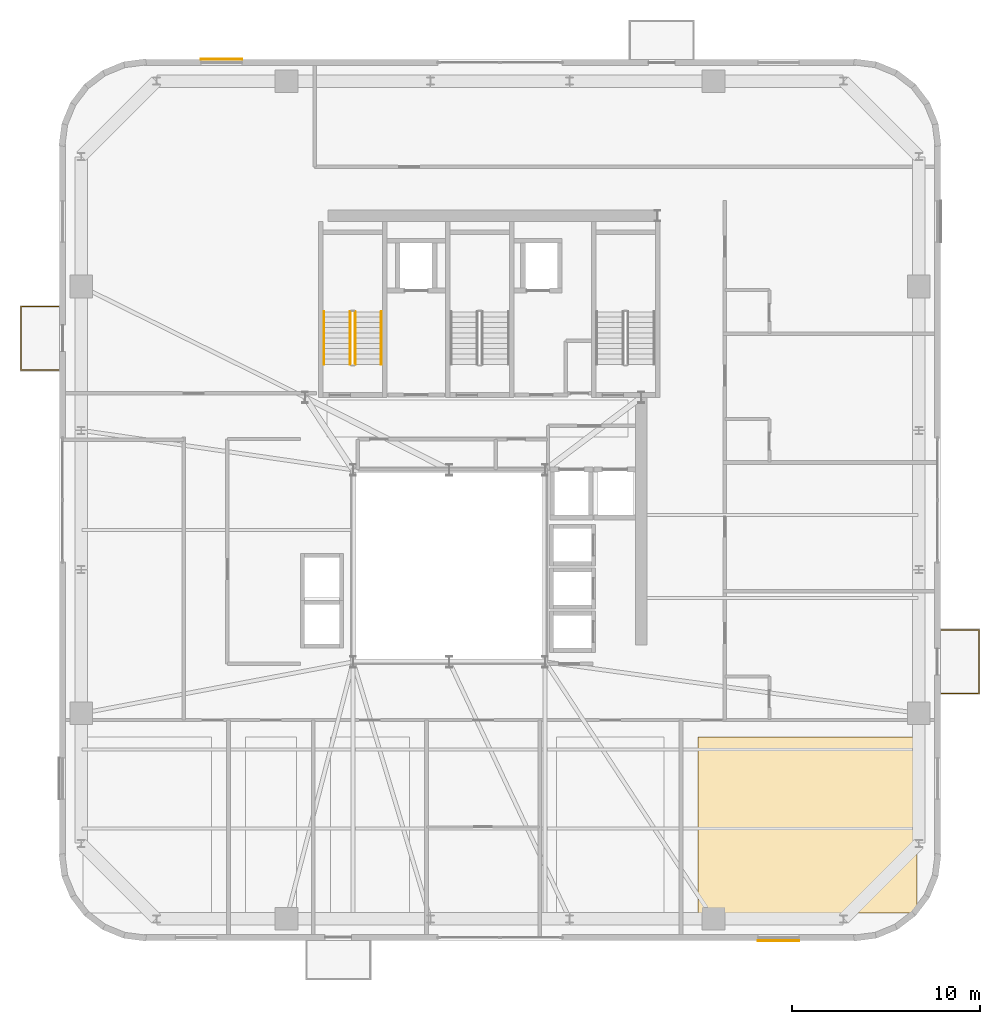
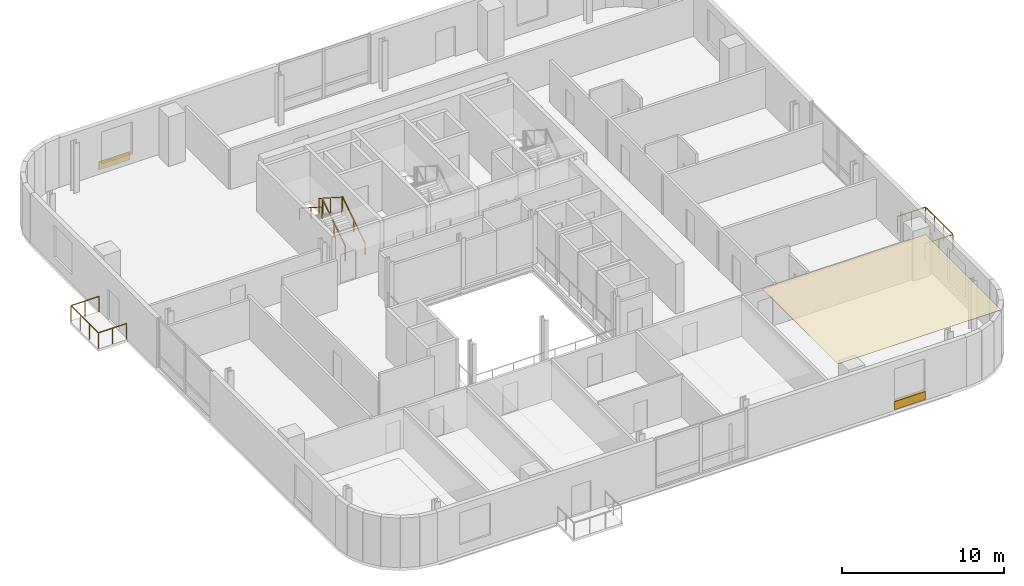
# One storey, part 14 of 15: 6 railings, 3 coverings.
"""IFC4 building model written with IfcOpenShell, lengths in metres."""

from ifc_helpers import new_model, si_unit, direction, frame, origin, origin_2d, place, context, subcontext, project, spatial, polyline, rectangle, outline, extrude, source, transform, mapped, material, layer, layer_set, type_object, element, save


model = new_model("IFC4")

# Units and contexts
model_context = context("Model", 3, precision=1e-05, world=origin(), true_north=direction((0.0, 1.0)))
body_context = subcontext(model_context, "Body", "Model", "MODEL_VIEW")
ifc_project = project(units=[si_unit("LENGTHUNIT", "METRE"), si_unit("AREAUNIT", "SQUARE_METRE"), si_unit("VOLUMEUNIT", "CUBIC_METRE"), si_unit("PLANEANGLEUNIT", "RADIAN"), si_unit("MASSUNIT", "GRAM", prefix="KILO")], contexts=[model_context])

# Site, building, storey
site_placement = place(None, origin())
site = spatial("IfcSite", under=ifc_project, at=site_placement, CompositionType="ELEMENT")
building_placement = place(site_placement, origin())
building = spatial("IfcBuilding", under=site, at=building_placement, Name="Vardaveli Station Tower", CompositionType="ELEMENT")
storey_placement = place(building_placement, frame((0.0, 0.0, 246.64990234375)))
storey = spatial("IfcBuildingStorey", under=building, at=storey_placement, Name="L63", CompositionType="ELEMENT", Elevation=246.64990234375)

# Coverings
ifc_material_1 = material(Name="Perforated acoustic mineral ceiling")
ifc_layer_1 = layer(ifc_material_1, 0.02001953125, Name="Perforated acoustic mineral ceiling")
ifc_layer_set_1 = layer_set([ifc_layer_1], Name="Perforated acoustic mineral ceiling")
covering_type_1 = type_object("IfcCoveringType", Name="COV-CEIL-AC20", PredefinedType="CEILING", material=ifc_layer_set_1)
covering_placement = place(storey_placement, frame((0.0, 0.0, 3.715087890625)))
element("IfcCovering", 1, at=covering_placement, inside=storey, type_object=covering_type_1, Name="CEIL-L63-5", PredefinedType="CEILING", context=body_context, shape_type="SweptSolid", body=[
    extrude(outline(polyline([(49.52001953125, 3.25), (61.14990234375, 3.25), (61.14990234375, 12.610107421875), (49.52001953125, 12.610107421875), (49.52001953125, 3.25)])), origin(), (0.0, 0.0, 1.0), 0.02001953125),
])
ifc_material_2 = material(Name="Ventilated honed travertine stone cladding", Category="masonry")
ifc_layer_2 = layer(ifc_material_2, 0.044921875, Name="Ventilated honed travertine stone cladding")
ifc_layer_set_2 = layer_set([ifc_layer_2], Name="Ventilated honed travertine stone cladding")
covering_type_2 = type_object("IfcCoveringType", Name="COV-CLAD-TR45", PredefinedType="CLADDING", material=ifc_layer_set_2)
shared_shape_1 = source(origin(), body_context, "Body", "SweptSolid", [
    extrude(rectangle(XDim=2.199951171875, YDim=0.044921875, at=origin_2d()), origin(), (0.0, 0.0, 1.0), 0.6201171875),
])
for number, where, z_axis, x_axis, name in (
    (2, (53.794921875, 1.785400390625, 0.070068359375), (0.0, 0.0, 1.0), (1.0, 0.0, 0.0), "CLD-TR-L63-S"),
    (3, (24.205078125, 48.614501953125, 0.070068359375), (0.0, 0.0, 1.0), (1.0, 0.0, 0.0), "CLD-TR-L63-N"),
):
    element("IfcCovering", number, at=place(storey_placement, frame(where, z_axis=z_axis, x_axis=x_axis)), inside=storey, type_object=covering_type_2, Name=name, PredefinedType="CLADDING", context=body_context, shape_type="MappedRepresentation", body=[
        mapped(shared_shape_1, transform((0.0, 0.0, 0.0), scale=1.0)),
    ])

# Railings
ifc_material_3 = material(Name="Laminated glass and stainless steel balustrade", Category="steel")
railing_type_1 = type_object("IfcRailingType", Name="RL-BAL-1200", PredefinedType="BALUSTRADE", material=ifc_material_3)
shared_shape_2 = source(origin(), body_context, "Body", "SweptSolid", [
    extrude(rectangle(XDim=0.048095703125, YDim=0.048095703125, at=origin_2d()), frame((0.0, 0.0, 1.17578125), z_axis=(1.0, 0.0, 0.0), x_axis=(0.0, 1.0, 0.0)), (0.0, 0.0, 1.0), 2.0),
    extrude(rectangle(XDim=0.048095703125, YDim=0.048095703125, at=origin_2d()), frame((2.0, 0.0, 1.17578125), z_axis=(0.0, 1.0, 0.0), x_axis=(-1.0, 0.0, 0.0)), (0.0, 0.0, 1.0), 3.3798828125),
    extrude(rectangle(XDim=0.048095703125, YDim=0.048095703125, at=origin_2d()), frame((2.0, 3.3798828125, 1.17578125), z_axis=(-1.0, 0.0, 0.0), x_axis=(0.0, -1.0, 0.0)), (0.0, 0.0, 1.0), 2.0),
    extrude(rectangle(XDim=0.0419921875, YDim=0.0419921875, at=origin_2d()), origin(), (0.0, 0.0, 1.0), 1.15185546875),
    extrude(rectangle(XDim=0.0419921875, YDim=0.0419921875, at=origin_2d()), frame((1.0, 0.0, 0.0)), (0.0, 0.0, 1.0), 1.15185546875),
    extrude(rectangle(XDim=0.0419921875, YDim=0.0419921875, at=origin_2d()), frame((2.0, 0.0, 0.0)), (0.0, 0.0, 1.0), 1.15185546875),
    extrude(rectangle(XDim=0.0419921875, YDim=0.0419921875, at=origin_2d()), frame((2.0, 1.126708984375, 0.0)), (0.0, 0.0, 1.0), 1.15185546875),
    extrude(rectangle(XDim=0.0419921875, YDim=0.0419921875, at=origin_2d()), frame((2.0, 2.253173828125, 0.0)), (0.0, 0.0, 1.0), 1.15185546875),
    extrude(rectangle(XDim=0.0419921875, YDim=0.0419921875, at=origin_2d()), frame((2.0, 3.3798828125, 0.0)), (0.0, 0.0, 1.0), 1.15185546875),
    extrude(rectangle(XDim=0.0419921875, YDim=0.0419921875, at=origin_2d()), frame((1.0, 3.3798828125, 0.0)), (0.0, 0.0, 1.0), 1.15185546875),
    extrude(rectangle(XDim=0.0419921875, YDim=0.0419921875, at=origin_2d()), frame((0.0, 3.3798828125, 0.0)), (0.0, 0.0, 1.0), 1.15185546875),
])
railing_1_placement = place(storey_placement, frame((62.43994140625, 14.92041015625, 0.0)))
element("IfcRailing", 4, at=railing_1_placement, inside=storey, type_object=railing_type_1, Name="RL-LOG-L63-04", PredefinedType="BALUSTRADE", context=body_context, shape_type="MappedRepresentation", body=[
    mapped(shared_shape_2, transform((0.0, 0.0, 0.0), scale=1.0)),
])
shared_shape_3 = source(origin(), body_context, "Body", "SweptSolid", [
    extrude(rectangle(XDim=0.048095703125, YDim=0.048095703125, at=origin_2d()), frame((0.0, 0.0, 1.17578125), z_axis=(-1.0, 0.0, 0.0), x_axis=(0.0, -1.0, 0.0)), (0.0, 0.0, 1.0), 2.0),
    extrude(rectangle(XDim=0.048095703125, YDim=0.048095703125, at=origin_2d()), frame((-2.0, 0.0, 1.17578125), z_axis=(0.0, 1.0, 0.0), x_axis=(-1.0, 0.0, 0.0)), (0.0, 0.0, 1.0), 3.3798828125),
    extrude(rectangle(XDim=0.048095703125, YDim=0.048095703125, at=origin_2d()), frame((-2.0, 3.3798828125, 1.17578125), z_axis=(1.0, 0.0, 0.0), x_axis=(0.0, 1.0, 0.0)), (0.0, 0.0, 1.0), 2.0),
    extrude(rectangle(XDim=0.0419921875, YDim=0.0419921875, at=origin_2d()), origin(), (0.0, 0.0, 1.0), 1.15185546875),
    extrude(rectangle(XDim=0.0419921875, YDim=0.0419921875, at=origin_2d()), frame((-1.0, 0.0, 0.0)), (0.0, 0.0, 1.0), 1.15185546875),
    extrude(rectangle(XDim=0.0419921875, YDim=0.0419921875, at=origin_2d()), frame((-2.0, 0.0, 0.0)), (0.0, 0.0, 1.0), 1.15185546875),
    extrude(rectangle(XDim=0.0419921875, YDim=0.0419921875, at=origin_2d()), frame((-2.0, 1.126708984375, 0.0)), (0.0, 0.0, 1.0), 1.15185546875),
    extrude(rectangle(XDim=0.0419921875, YDim=0.0419921875, at=origin_2d()), frame((-2.0, 2.253173828125, 0.0)), (0.0, 0.0, 1.0), 1.15185546875),
    extrude(rectangle(XDim=0.0419921875, YDim=0.0419921875, at=origin_2d()), frame((-2.0, 3.3798828125, 0.0)), (0.0, 0.0, 1.0), 1.15185546875),
    extrude(rectangle(XDim=0.0419921875, YDim=0.0419921875, at=origin_2d()), frame((-1.0, 3.3798828125, 0.0)), (0.0, 0.0, 1.0), 1.15185546875),
    extrude(rectangle(XDim=0.0419921875, YDim=0.0419921875, at=origin_2d()), frame((0.0, 3.3798828125, 0.0)), (0.0, 0.0, 1.0), 1.15185546875),
])
railing_2_placement = place(storey_placement, frame((15.56005859375, 32.099609375, 0.0)))
element("IfcRailing", 5, at=railing_2_placement, inside=storey, type_object=railing_type_1, Name="RL-LOG-L63-03", PredefinedType="BALUSTRADE", context=body_context, shape_type="MappedRepresentation", body=[
    mapped(shared_shape_3, transform((0.0, 0.0, 0.0), scale=1.0)),
])
ifc_material_4 = material(Name="Brushed AISI 316 stainless steel", Category="steel")
railing_type_2 = type_object("IfcRailingType", Name="RL-GUARD-1150", PredefinedType="GUARDRAIL", material=ifc_material_4)
shared_shape_4 = source(origin(), body_context, "Body", "SweptSolid", [
    extrude(rectangle(XDim=0.048095703125, YDim=0.048095703125, at=origin_2d()), frame((0.0, 0.0, 1.1259765625), z_axis=(0.0, 0.841809871826, 0.539774156196), x_axis=(-1.0, 0.0, 0.0)), (0.0, 0.0, 1.0), 3.326171875),
    extrude(rectangle(XDim=0.0419921875, YDim=0.0419921875, at=origin_2d()), origin(), (0.0, 0.0, 1.0), 1.101806640625),
    extrude(rectangle(XDim=0.0419921875, YDim=0.0419921875, at=origin_2d()), frame((0.0, 1.39990234375, 0.897705078125)), (0.0, 0.0, 1.0), 1.101806640625),
    extrude(rectangle(XDim=0.0419921875, YDim=0.0419921875, at=origin_2d()), frame((0.0, 2.800048828125, 1.79541015625)), (0.0, 0.0, 1.0), 1.101806640625),
])
railing_3_placement = place(storey_placement, frame((31.300048828125, 32.39990234375, 0.1796875)))
element("IfcRailing", 6, at=railing_3_placement, inside=storey, type_object=railing_type_2, Name="L63 ST-1 stair guard 1", PredefinedType="GUARDRAIL", context=body_context, shape_type="MappedRepresentation", body=[
    mapped(shared_shape_4, transform((0.0, 0.0, 0.0), scale=1.0)),
])
railing_type_3 = type_object("IfcRailingType", Name="RL-HAND-900", PredefinedType="HANDRAIL", material=ifc_material_4)
shared_shape_5 = source(origin(), body_context, "Body", "SweptSolid", [
    extrude(rectangle(XDim=0.048095703125, YDim=0.048095703125, at=origin_2d()), frame((0.0, 0.0, 0.8759765625), z_axis=(0.0, 0.841809871826, 0.539774156196), x_axis=(-1.0, 0.0, 0.0)), (0.0, 0.0, 1.0), 3.326171875),
    extrude(rectangle(XDim=0.0419921875, YDim=0.0419921875, at=origin_2d()), origin(), (0.0, 0.0, 1.0), 0.851806640625),
    extrude(rectangle(XDim=0.0419921875, YDim=0.0419921875, at=origin_2d()), frame((0.0, 1.39990234375, 0.897705078125)), (0.0, 0.0, 1.0), 0.851806640625),
    extrude(rectangle(XDim=0.0419921875, YDim=0.0419921875, at=origin_2d()), frame((0.0, 2.800048828125, 1.79541015625)), (0.0, 0.0, 1.0), 0.851806640625),
])
railing_4_placement = place(storey_placement, frame((32.699951171875, 32.39990234375, 0.1796875)))
element("IfcRailing", 7, at=railing_4_placement, inside=storey, type_object=railing_type_3, Name="L63 ST-1 stair handrail 1", PredefinedType="HANDRAIL", context=body_context, shape_type="MappedRepresentation", body=[
    mapped(shared_shape_5, transform((0.0, 0.0, 0.0), scale=1.0)),
])
shared_shape_6 = source(origin(), body_context, "Body", "SweptSolid", [
    extrude(rectangle(XDim=0.048095703125, YDim=0.048095703125, at=origin_2d()), frame((0.0, 0.0, 1.1259765625), z_axis=(0.0, -0.841776520102, 0.539826166654), x_axis=(1.0, 0.0, 0.0)), (0.0, 0.0, 1.0), 3.326416015625),
    extrude(rectangle(XDim=0.0419921875, YDim=0.0419921875, at=origin_2d()), origin(), (0.0, 0.0, 1.0), 1.101806640625),
    extrude(rectangle(XDim=0.0419921875, YDim=0.0419921875, at=origin_2d()), frame((0.0, -1.39990234375, 0.89794921875)), (0.0, 0.0, 1.0), 1.101806640625),
    extrude(rectangle(XDim=0.0419921875, YDim=0.0419921875, at=origin_2d()), frame((0.0, -2.800048828125, 1.795654296875)), (0.0, 0.0, 1.0), 1.101806640625),
])
railing_5_placement = place(storey_placement, frame((31.050048828125, 35.199951171875, 2.154541015625)))
element("IfcRailing", 8, at=railing_5_placement, inside=storey, type_object=railing_type_2, Name="L63 ST-1 stair guard 3", PredefinedType="GUARDRAIL", context=body_context, shape_type="MappedRepresentation", body=[
    mapped(shared_shape_6, transform((0.0, 0.0, 0.0), scale=1.0)),
])
shared_shape_7 = source(origin(), body_context, "Body", "SweptSolid", [
    extrude(rectangle(XDim=0.048095703125, YDim=0.048095703125, at=origin_2d()), frame((0.0, 0.0, 0.8759765625), z_axis=(0.0, -0.841776520102, 0.539826166654), x_axis=(1.0, 0.0, 0.0)), (0.0, 0.0, 1.0), 3.326416015625),
    extrude(rectangle(XDim=0.0419921875, YDim=0.0419921875, at=origin_2d()), origin(), (0.0, 0.0, 1.0), 0.851806640625),
    extrude(rectangle(XDim=0.0419921875, YDim=0.0419921875, at=origin_2d()), frame((0.0, -1.39990234375, 0.89794921875)), (0.0, 0.0, 1.0), 0.851806640625),
    extrude(rectangle(XDim=0.0419921875, YDim=0.0419921875, at=origin_2d()), frame((0.0, -2.800048828125, 1.795654296875)), (0.0, 0.0, 1.0), 0.851806640625),
])
railing_6_placement = place(storey_placement, frame((29.64990234375, 35.199951171875, 2.154541015625)))
element("IfcRailing", 9, at=railing_6_placement, inside=storey, type_object=railing_type_3, Name="L63 ST-1 stair handrail 2", PredefinedType="HANDRAIL", context=body_context, shape_type="MappedRepresentation", body=[
    mapped(shared_shape_7, transform((0.0, 0.0, 0.0), scale=1.0)),
])

save(model, "model.ifc")
